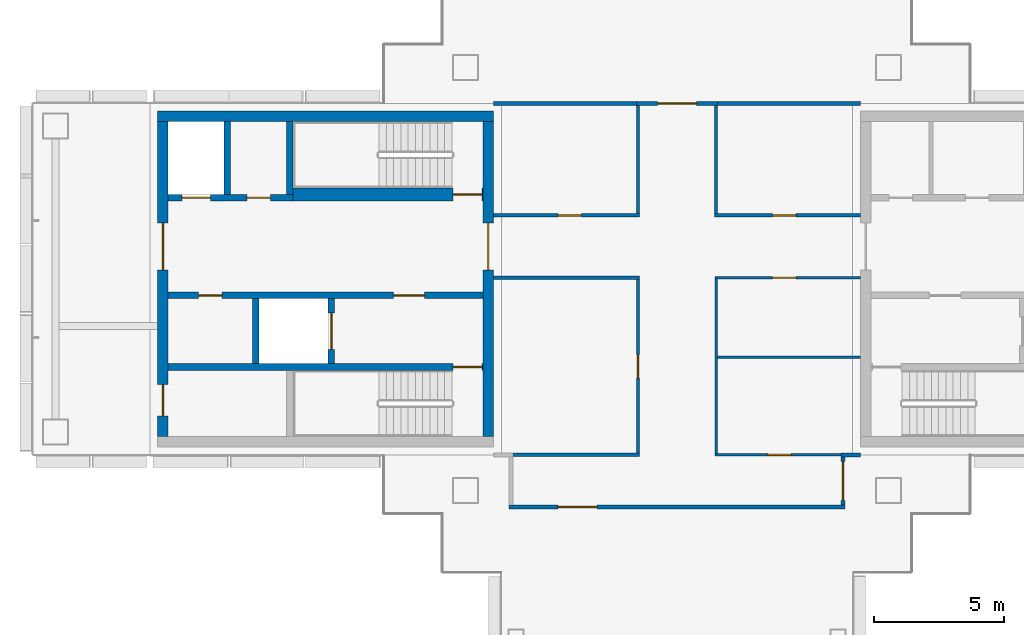
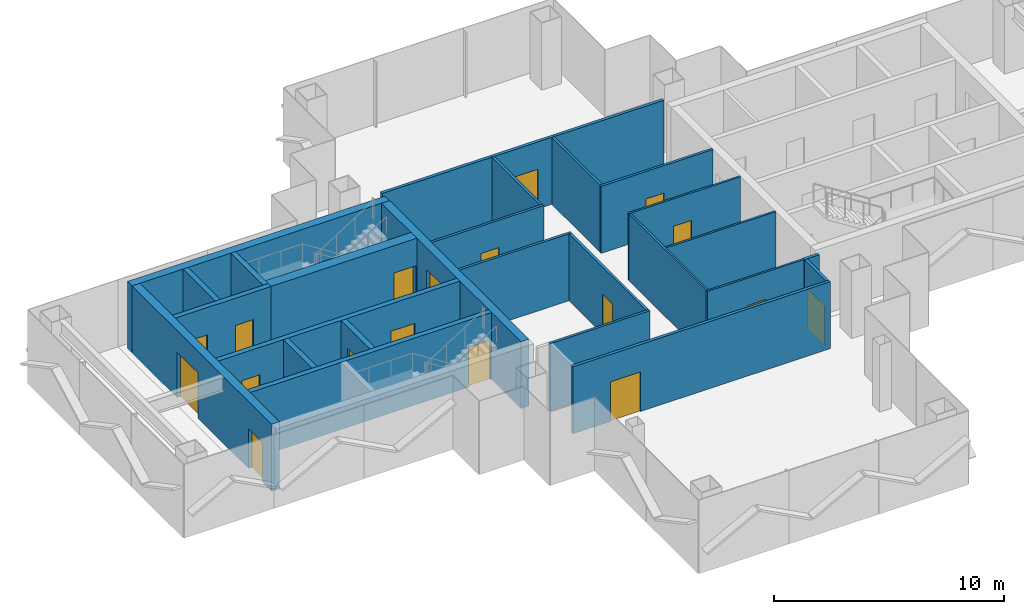
# One storey, part 9 of 17: 28 walls, 18 doors, 18 openings.
"""IFC4 building model written with IfcOpenShell, lengths in metres."""

import ifcopenshell
import ifcopenshell.guid

model = None  # the IFC model being written
_history = None  # IfcOwnerHistory: only IFC2X3 demands one
_inside = {}  # id of a spatial element -> (the spatial element, [elements in it])
_under = {}  # id of a project, library or spatial element -> (it, [spatial elements below it])
_declared = {}  # id of a project -> (the project, [libraries it declares])
_typed = {}  # id of a type object -> (the type object, [elements of that type])
_made_of = {}  # id of a material, layer set ... -> (it, [elements and type objects made of it])


def new_model(schema):
    """Start an empty IFC model of exactly this schema.

    Asked for "IFC4X3", IfcOpenShell would pick the latest addendum, in which some entities
    have other attributes; the version numbers below select the first issue.
    IFC2X3 requires an IfcOwnerHistory on every rooted entity: one is made here for all.
    """
    global model, _history
    if schema == "IFC4X3":
        model = ifcopenshell.file(schema_version=(4, 3, 0, 0))
    else:
        model = ifcopenshell.file(schema=schema)
    _inside.clear()
    _under.clear()
    _declared.clear()
    _typed.clear()
    _made_of.clear()
    _history = None
    if model.schema == "IFC2X3":
        org = make("IfcOrganization", Name="unknown")
        user = make(
            "IfcPersonAndOrganization",
            ThePerson=make("IfcPerson", FamilyName="unknown"),
            TheOrganization=org,
        )
        app = make(
            "IfcApplication",
            ApplicationDeveloper=org,
            Version="unknown",
            ApplicationFullName="unknown",
            ApplicationIdentifier="unknown",
        )
        _history = make(
            "IfcOwnerHistory",
            OwningUser=user,
            OwningApplication=app,
            ChangeAction="ADDED",
            CreationDate=0,
        )
    return model


def make(cls, **values):
    """One entity of the class cls with the attributes given. An attribute that is None is left unset."""
    return model.create_entity(
        cls, **{name: value for name, value in values.items() if value is not None}
    )


def rooted(cls, **values):
    """An entity with a GlobalId (a new one), such as an element, a storey or a relation."""
    return make(cls, GlobalId=ifcopenshell.guid.new(), OwnerHistory=_history, **values)


def si_unit(unit_type, name, prefix=None):
    """IfcSIUnit, for example si_unit("LENGTHUNIT", "METRE", prefix="MILLI")."""
    return make("IfcSIUnit", UnitType=unit_type, Prefix=prefix, Name=name)


def assignment(units):
    """IfcUnitAssignment: the units of a project."""
    return None if units is None else make("IfcUnitAssignment", Units=units)


def point(xyz):
    """IfcCartesianPoint."""
    return None if xyz is None else make("IfcCartesianPoint", Coordinates=xyz)


def direction(xyz):
    """IfcDirection."""
    return None if xyz is None else make("IfcDirection", DirectionRatios=xyz)


def frame(location, z_axis=None, x_axis=None):
    """IfcAxis2Placement3D, a coordinate frame: its origin and axes. An axis left out is left unset."""
    return make(
        "IfcAxis2Placement3D",
        Location=point(location),
        Axis=direction(z_axis),
        RefDirection=direction(x_axis),
    )


def frame_2d(location, x_axis=None):
    """IfcAxis2Placement2D, a coordinate frame in the plane: its origin and x axis."""
    return make(
        "IfcAxis2Placement2D", Location=point(location), RefDirection=direction(x_axis)
    )


def origin():
    """The frame at (0, 0, 0) with its axes left unset."""
    return frame((0.0, 0.0, 0.0))


def place(relative_to, where):
    """IfcLocalPlacement: puts the frame where relative to a parent placement (None: the world)."""
    return make(
        "IfcLocalPlacement", PlacementRelTo=relative_to, RelativePlacement=where
    )


def context(
    kind, dimensions, precision=None, world=None, true_north=None, identifier=None
):
    """IfcGeometricRepresentationContext, for example the 3D "Model" context."""
    return make(
        "IfcGeometricRepresentationContext",
        ContextIdentifier=identifier,
        ContextType=kind,
        CoordinateSpaceDimension=dimensions,
        Precision=precision,
        WorldCoordinateSystem=world,
        TrueNorth=true_north,
    )


def subcontext(parent, identifier, kind, view, scale=None):
    """IfcGeometricRepresentationSubContext, for example "Body" below "Model"."""
    return make(
        "IfcGeometricRepresentationSubContext",
        ContextIdentifier=identifier,
        ContextType=kind,
        ParentContext=parent,
        TargetScale=scale,
        TargetView=view,
    )


def project(units=None, contexts=None):
    """IfcProject with its units and contexts."""
    return rooted(
        "IfcProject",
        Name="project",
        RepresentationContexts=contexts,
        UnitsInContext=assignment(units),
    )


def spatial(cls, under=None, at=None, **own):
    """A site, building, storey or space (cls), placed at a placement, below another one or the project."""
    s = rooted(cls, ObjectPlacement=at, **own)
    if under is not None:
        _under.setdefault(under.id(), (under, []))[1].append(s)
    return s


def profile(cls, at=None, kind="AREA", **sizes):
    """A parametric profile (cls). Its sizes go by their IFC names, for example OverallWidth=200.0."""
    return make(cls, ProfileType=kind, Position=at, **sizes)


def rectangle(**sizes):
    """IfcRectangleProfileDef."""
    return profile("IfcRectangleProfileDef", **sizes)


def extrude(swept, where, along, depth):
    """IfcExtrudedAreaSolid: the profile swept, set in the frame where, extruded along a direction by depth."""
    return make(
        "IfcExtrudedAreaSolid",
        SweptArea=swept,
        Position=where,
        ExtrudedDirection=direction(along),
        Depth=depth,
    )


def shape(context_of_items, identifier, shape_type, items):
    """IfcShapeRepresentation: the items that make up one representation, for example the "Body"."""
    return make(
        "IfcShapeRepresentation",
        ContextOfItems=context_of_items,
        RepresentationIdentifier=identifier,
        RepresentationType=shape_type,
        Items=items,
    )


def material(Name=None, Category=None):
    """IfcMaterial."""
    return make("IfcMaterial", Name=Name, Category=Category)


def layer(
    of_material, thickness, ventilated=None, Name=None, Category=None, Priority=None
):
    """IfcMaterialLayer: one layer of a wall or slab, of a material (None: an air gap)."""
    return make(
        "IfcMaterialLayer",
        Material=of_material,
        LayerThickness=thickness,
        IsVentilated=ventilated,
        Name=Name,
        Category=Category,
        Priority=Priority,
    )


def layer_set(layers, Name=None):
    """IfcMaterialLayerSet."""
    return make("IfcMaterialLayerSet", MaterialLayers=layers, LayerSetName=Name)


def made_of(thing, what):
    """Note that an element or type object is made of a material, layer set ...; save() writes the relation."""
    if what is not None:
        _made_of.setdefault(what.id(), (what, []))[1].append(thing)
    return thing


def type_object(cls, material=None, **own):
    """A type object (cls), such as IfcWallType, which elements share."""
    return made_of(rooted(cls, **own), material)


def element(
    cls,
    number,
    at=None,
    inside=None,
    cuts=None,
    type_object=None,
    material=None,
    context=None,
    identifier="Body",
    shape_type=None,
    held_by="IfcProductDefinitionShape",
    body=None,
    shapes=None,
    **own,
):
    """One element of the class cls, such as IfcWall. Its Tag is "e" and its number.

    at: its placement. inside: the storey or other place that contains it. cuts: it is an
    opening in that element (IfcRelVoidsElement). A single representation is given by context,
    identifier, shape_type and body (its items); several are given by shapes. held_by: the class
    of the entity that holds the representations. save() writes the other relations.
    """
    e = rooted(cls, Tag="e%d" % number, ObjectPlacement=at, **own)
    if body is not None:
        shapes = [shape(context, identifier, shape_type, body)]
    if shapes is not None:
        e.Representation = make(held_by, Representations=shapes)
    if inside is not None:
        _inside.setdefault(inside.id(), (inside, []))[1].append(e)
    if cuts is not None:
        rooted(
            "IfcRelVoidsElement", RelatingBuildingElement=cuts, RelatedOpeningElement=e
        )
    if type_object is not None:
        _typed.setdefault(type_object.id(), (type_object, []))[1].append(e)
    return made_of(e, material)


def fill(opening, filler):
    """IfcRelFillsElement: the door or window that sits in an opening."""
    return rooted(
        "IfcRelFillsElement",
        RelatingOpeningElement=opening,
        RelatedBuildingElement=filler,
    )


def aggregate(whole, parts):
    """IfcRelAggregates: a whole, such as a stair, and the parts it consists of."""
    return rooted("IfcRelAggregates", RelatingObject=whole, RelatedObjects=parts)


def save(model, path):
    """Write the relations noted so far, then the file.

    IfcRelAggregates (storeys below a building ...), IfcRelContainedInSpatialStructure (elements
    in a storey), IfcRelDefinesByType, IfcRelAssociatesMaterial and IfcRelDeclares: one each for
    every whole, place, type object, material and project.
    """
    for whole, parts in _under.values():
        aggregate(whole, parts)
    for where, things in _inside.values():
        rooted(
            "IfcRelContainedInSpatialStructure",
            RelatedElements=things,
            RelatingStructure=where,
        )
    for kind, things in _typed.values():
        rooted("IfcRelDefinesByType", RelatedObjects=things, RelatingType=kind)
    for what, things in _made_of.values():
        rooted("IfcRelAssociatesMaterial", RelatedObjects=things, RelatingMaterial=what)
    for by, libraries in _declared.values():
        rooted("IfcRelDeclares", RelatingContext=by, RelatedDefinitions=libraries)
    model.write(path)


model = new_model("IFC4")

# Units and contexts
model_context = context("Model", 3, precision=1e-05, world=origin(), true_north=direction((0.0, 1.0)))
body_context = subcontext(model_context, "Body", "Model", "MODEL_VIEW")
ifc_project = project(units=[si_unit("LENGTHUNIT", "METRE"), si_unit("AREAUNIT", "SQUARE_METRE"), si_unit("VOLUMEUNIT", "CUBIC_METRE"), si_unit("PLANEANGLEUNIT", "RADIAN"), si_unit("MASSUNIT", "GRAM", prefix="KILO")], contexts=[model_context])

# Site, building, storey
site_placement = place(None, origin())
site = spatial("IfcSite", under=ifc_project, at=site_placement, CompositionType="ELEMENT")
building_placement = place(site_placement, origin())
building = spatial("IfcBuilding", under=site, at=building_placement, Name="Shamsa Quay Exchange Towers", CompositionType="ELEMENT")
storey_placement = place(building_placement, frame((0.0, 0.0, 194.39990234375)))
storey = spatial("IfcBuildingStorey", under=building, at=storey_placement, Name="L46", CompositionType="ELEMENT", Elevation=194.39990234375)

# Wall
ifc_material_1 = material(Name="Concrete C60/75", Category="concrete")
ifc_layer_1 = layer(ifc_material_1, 0.39990234375)
ifc_layer_set_1 = layer_set([ifc_layer_1], Name="CORE WALL 400 C60/75")
wall_type_1 = type_object("IfcWallType", Name="CORE WALL 400 C60/75", PredefinedType="SHEAR", material=ifc_layer_set_1)
wall_1_placement = place(storey_placement, frame((-40.800048828125, 6.25, 0.0), z_axis=(0.0, 0.0, 1.0), x_axis=(-1.0, 0.0, 0.0)))
element("IfcWall", 1, at=wall_1_placement, inside=storey, type_object=wall_type_1, Name="Core wall T1B-R21-PN", PredefinedType="SHEAR", context=body_context, shape_type="SweptSolid", body=[
    extrude(rectangle(XDim=12.89990234375, YDim=0.39990234375, at=frame_2d((6.449951171875, 0.0))), origin(), (0.0, 0.0, 1.0), 3.550048828125),
])

# Wall, opening, door
wall_2_placement = place(storey_placement, frame((-41.0, -6.050048828125, 0.0), z_axis=(0.0, 0.0, 1.0), x_axis=(0.0, 1.0, 0.0)))
wall_2 = element("IfcWall", 2, at=wall_2_placement, inside=storey, type_object=wall_type_1, Name="Core wall T1B-R21-PF", PredefinedType="SHEAR", context=body_context, shape_type="SweptSolid", body=[
    extrude(rectangle(XDim=12.10009765625, YDim=0.39990234375, at=frame_2d((6.050048828125, 0.0))), origin(), (0.0, 0.0, 1.0), 3.550048828125),
])
opening_1_placement = place(wall_2_placement, frame((6.39990234375, 0.0, 0.0)))
opening_1 = element("IfcOpeningElement", 3, at=opening_1_placement, cuts=wall_2, Name="Opening T1B-R21-LBD01", PredefinedType="OPENING", context=body_context, shape_type="SweptSolid", body=[
    extrude(rectangle(XDim=1.800048828125, YDim=2.39990234375, at=frame_2d((0.89990234375, 1.199951171875))), frame((0.0, 0.2099609375, 0.0), z_axis=(0.0, -1.0, 0.0), x_axis=(1.0, 0.0, 0.0)), (0.0, 0.0, 1.0), 0.419921875),
])
ifc_material_2 = material(Name="Steel, fire rated", Category="steel")
door_type_1 = type_object("IfcDoorType", Name="LIFT LOBBY DOOR PAIR 1800", OperationType="DOUBLE_DOOR_SINGLE_SWING", PredefinedType="DOOR", material=ifc_material_2)
door_1_placement = place(opening_1_placement, origin())
door_1 = element("IfcDoor", 4, at=door_1_placement, inside=storey, type_object=door_type_1, Name="T1B-R21-LBD01", OperationType="DOUBLE_DOOR_SINGLE_SWING", OverallHeight=2.39990234375, OverallWidth=1.800048828125, PredefinedType="DOOR", context=body_context, shape_type="SweptSolid", body=[
    extrude(rectangle(XDim=1.800048828125, YDim=2.39990234375, at=frame_2d((0.89990234375, 1.199951171875))), frame((0.0, 0.02490234375, 0.0), z_axis=(0.0, -1.0, 0.0), x_axis=(1.0, 0.0, 0.0)), (0.0, 0.0, 1.0), 0.050048828125),
])
fill(opening_1, door_1)

# Wall, openings, doors
wall_3_placement = place(storey_placement, frame((-53.5, -6.050048828125, 0.0), z_axis=(0.0, 0.0, 1.0), x_axis=(0.0, 1.0, 0.0)))
wall_3 = element("IfcWall", 5, at=wall_3_placement, inside=storey, type_object=wall_type_1, Name="Core wall T1B-R21-PB", PredefinedType="SHEAR", context=body_context, shape_type="SweptSolid", body=[
    extrude(rectangle(XDim=12.10009765625, YDim=0.39990234375, at=frame_2d((6.050048828125, 0.0))), origin(), (0.0, 0.0, 1.0), 3.550048828125),
])
opening_2_placement = place(wall_3_placement, frame((0.800048828125, 0.0, 0.0)))
opening_2 = element("IfcOpeningElement", 6, at=opening_2_placement, cuts=wall_3, Name="Opening T1B-R21-RD02", PredefinedType="OPENING", context=body_context, shape_type="SweptSolid", body=[
    extrude(rectangle(XDim=1.199951171875, YDim=2.10009765625, at=frame_2d((0.60009765625, 1.050048828125))), frame((0.0, 0.2099609375, 0.0), z_axis=(0.0, -1.0, 0.0), x_axis=(1.0, 0.0, 0.0)), (0.0, 0.0, 1.0), 0.419921875),
])
opening_3_placement = place(wall_3_placement, frame((6.39990234375, 0.0, 0.0)))
opening_3 = element("IfcOpeningElement", 7, at=opening_3_placement, cuts=wall_3, Name="Opening T1B-R21-LBD03", PredefinedType="OPENING", context=body_context, shape_type="SweptSolid", body=[
    extrude(rectangle(XDim=1.800048828125, YDim=2.39990234375, at=frame_2d((0.89990234375, 1.199951171875))), frame((0.0, 0.2099609375, 0.0), z_axis=(0.0, -1.0, 0.0), x_axis=(1.0, 0.0, 0.0)), (0.0, 0.0, 1.0), 0.419921875),
])
door_2_placement = place(opening_3_placement, origin())
door_2 = element("IfcDoor", 8, at=door_2_placement, inside=storey, type_object=door_type_1, Name="T1B-R21-LBD03", OperationType="DOUBLE_DOOR_SINGLE_SWING", OverallHeight=2.39990234375, OverallWidth=1.800048828125, PredefinedType="DOOR", context=body_context, shape_type="SweptSolid", body=[
    extrude(rectangle(XDim=1.800048828125, YDim=2.39990234375, at=frame_2d((0.89990234375, 1.199951171875))), frame((0.0, 0.02490234375, 0.0), z_axis=(0.0, -1.0, 0.0), x_axis=(1.0, 0.0, 0.0)), (0.0, 0.0, 1.0), 0.050048828125),
])
fill(opening_3, door_2)
door_type_2 = type_object("IfcDoorType", Name="RISER ACCESS DOOR 1200", OperationType="SINGLE_SWING_LEFT", PredefinedType="DOOR", material=ifc_material_2)
door_3_placement = place(opening_2_placement, origin())
door_3 = element("IfcDoor", 9, at=door_3_placement, inside=storey, type_object=door_type_2, Name="T1B-R21-RD02", OperationType="SINGLE_SWING_LEFT", OverallHeight=2.10009765625, OverallWidth=1.199951171875, PredefinedType="DOOR", context=body_context, shape_type="SweptSolid", body=[
    extrude(rectangle(XDim=1.199951171875, YDim=2.10009765625, at=frame_2d((0.60009765625, 1.050048828125))), frame((0.0, 0.02490234375, 0.0), z_axis=(0.0, -1.0, 0.0), x_axis=(1.0, 0.0, 0.0)), (0.0, 0.0, 1.0), 0.050048828125),
])
fill(opening_2, door_3)

# Wall
ifc_material_3 = material(Name="Laminated fire-resisting glass in a metal frame", Category="glass")
ifc_layer_2 = layer(ifc_material_3, 0.125)
ifc_layer_set_2 = layer_set([ifc_layer_2], Name="Glazed partition 125 mm EI 60")
wall_type_2 = type_object("IfcWallType", Name="Glazed partition 125 mm EI 60", PredefinedType="PARTITIONING", material=ifc_layer_set_2)
wall_4_placement = place(storey_placement, frame((-32.25, 6.675048828125, 0.0), z_axis=(0.0, 0.0, 1.0), x_axis=(0.0, -1.0, 0.0)))
element("IfcWall", 10, at=wall_4_placement, inside=storey, type_object=wall_type_2, Name="Partition T1-R21-W01", PredefinedType="PARTITIONING", context=body_context, shape_type="SweptSolid", body=[
    extrude(rectangle(XDim=4.162353515625, YDim=0.125, at=frame_2d((2.0810546875, 0.0))), origin(), (0.0, 0.0, 1.0), 3.550048828125),
])

# Wall, opening, door
wall_5_placement = place(storey_placement, frame((-40.800048828125, 2.4501953125, 0.0)))
wall_5 = element("IfcWall", 11, at=wall_5_placement, inside=storey, type_object=wall_type_2, Name="Partition T1-R21-W02", PredefinedType="PARTITIONING", context=body_context, shape_type="SweptSolid", body=[
    extrude(rectangle(XDim=5.612548828125, YDim=0.125, at=frame_2d((2.80615234375, 0.0))), origin(), (0.0, 0.0, 1.0), 3.550048828125),
])
opening_4_placement = place(wall_5_placement, frame((2.47509765625, 0.0, 0.0)))
opening_4 = element("IfcOpeningElement", 12, at=opening_4_placement, cuts=wall_5, Name="Opening T1-R21-D01", PredefinedType="OPENING", context=body_context, shape_type="SweptSolid", body=[
    extrude(rectangle(XDim=0.89990234375, YDim=2.10009765625, at=frame_2d((0.449951171875, 1.050048828125))), frame((0.0, 0.072509765625, 0.0), z_axis=(0.0, -1.0, 0.0), x_axis=(1.0, 0.0, 0.0)), (0.0, 0.0, 1.0), 0.14501953125),
])
ifc_material_4 = material(Name="Timber door leaf in a metal frame", Category="wood")
door_type_3 = type_object("IfcDoorType", Name="Door 900x2100 FD30S", OperationType="NOTDEFINED", PredefinedType="DOOR", material=ifc_material_4)
door_4_placement = place(opening_4_placement, origin())
door_4 = element("IfcDoor", 13, at=door_4_placement, inside=storey, type_object=door_type_3, Name="Door T1-R21-D01", OperationType="SINGLE_SWING_LEFT", OverallHeight=2.10009765625, OverallWidth=0.89990234375, PredefinedType="DOOR", context=body_context, shape_type="SweptSolid", body=[
    extrude(rectangle(XDim=0.89990234375, YDim=2.10009765625, at=frame_2d((0.449951171875, 1.050048828125))), frame((0.0, 0.02490234375, 0.0), z_axis=(0.0, -1.0, 0.0), x_axis=(1.0, 0.0, 0.0)), (0.0, 0.0, 1.0), 0.050048828125),
])
fill(opening_4, door_4)

wall_6_placement = place(storey_placement, frame((-32.3125, 2.4501953125, 0.0)))
wall_6 = element("IfcWall", 14, at=wall_6_placement, inside=storey, type_object=wall_type_2, Name="Partition T1-R21-W03", PredefinedType="PARTITIONING", context=body_context, shape_type="SweptSolid", body=[
    extrude(rectangle(XDim=5.612548828125, YDim=0.125, at=frame_2d((2.80615234375, 0.0))), origin(), (0.0, 0.0, 1.0), 3.550048828125),
])
opening_5_placement = place(wall_6_placement, frame((2.237548828125, 0.0, 0.0)))
opening_5 = element("IfcOpeningElement", 15, at=opening_5_placement, cuts=wall_6, Name="Opening T1-R21-D06", PredefinedType="OPENING", context=body_context, shape_type="SweptSolid", body=[
    extrude(rectangle(XDim=0.89990234375, YDim=2.10009765625, at=frame_2d((0.449951171875, 1.050048828125))), frame((0.0, 0.072509765625, 0.0), z_axis=(0.0, -1.0, 0.0), x_axis=(1.0, 0.0, 0.0)), (0.0, 0.0, 1.0), 0.14501953125),
])
door_5_placement = place(opening_5_placement, origin())
door_5 = element("IfcDoor", 16, at=door_5_placement, inside=storey, type_object=door_type_3, Name="Door T1-R21-D06", OperationType="SINGLE_SWING_RIGHT", OverallHeight=2.10009765625, OverallWidth=0.89990234375, PredefinedType="DOOR", context=body_context, shape_type="SweptSolid", body=[
    extrude(rectangle(XDim=0.89990234375, YDim=2.10009765625, at=frame_2d((0.449951171875, 1.050048828125))), frame((0.0, 0.02490234375, 0.0), z_axis=(0.0, -1.0, 0.0), x_axis=(1.0, 0.0, 0.0)), (0.0, 0.0, 1.0), 0.050048828125),
])
fill(opening_5, door_5)

wall_7_placement = place(storey_placement, frame((-35.25, -6.6875, 0.0), z_axis=(0.0, 0.0, 1.0), x_axis=(0.0, 1.0, 0.0)))
wall_7 = element("IfcWall", 17, at=wall_7_placement, inside=storey, type_object=wall_type_2, Name="Partition T1-R21-W07", PredefinedType="PARTITIONING", context=body_context, shape_type="SweptSolid", body=[
    extrude(rectangle(XDim=6.6748046875, YDim=0.125, at=frame_2d((3.33740234375, 0.0))), origin(), (0.0, 0.0, 1.0), 3.550048828125),
])
opening_6_placement = place(wall_7_placement, frame((2.887451171875, 0.0, 0.0)))
opening_6 = element("IfcOpeningElement", 18, at=opening_6_placement, cuts=wall_7, Name="Opening T1-R21-D03", PredefinedType="OPENING", context=body_context, shape_type="SweptSolid", body=[
    extrude(rectangle(XDim=0.89990234375, YDim=2.10009765625, at=frame_2d((0.449951171875, 1.050048828125))), frame((0.0, 0.072509765625, 0.0), z_axis=(0.0, -1.0, 0.0), x_axis=(1.0, 0.0, 0.0)), (0.0, 0.0, 1.0), 0.14501953125),
])
door_6_placement = place(opening_6_placement, origin())
door_6 = element("IfcDoor", 19, at=door_6_placement, inside=storey, type_object=door_type_3, Name="Door T1-R21-D03", OperationType="SINGLE_SWING_LEFT", OverallHeight=2.10009765625, OverallWidth=0.89990234375, PredefinedType="DOOR", context=body_context, shape_type="SweptSolid", body=[
    extrude(rectangle(XDim=0.89990234375, YDim=2.10009765625, at=frame_2d((0.449951171875, 1.050048828125))), frame((0.0, 0.02490234375, 0.0), z_axis=(0.0, -1.0, 0.0), x_axis=(1.0, 0.0, 0.0)), (0.0, 0.0, 1.0), 0.050048828125),
])
fill(opening_6, door_6)

# Walls
wall_8_placement = place(storey_placement, frame((-35.25, 2.5126953125, 0.0), z_axis=(0.0, 0.0, 1.0), x_axis=(0.0, 1.0, 0.0)))
element("IfcWall", 20, at=wall_8_placement, inside=storey, type_object=wall_type_2, Name="Partition T1-R21-W08", PredefinedType="PARTITIONING", context=body_context, shape_type="SweptSolid", body=[
    extrude(rectangle(XDim=4.162353515625, YDim=0.125, at=frame_2d((2.0810546875, 0.0))), origin(), (0.0, 0.0, 1.0), 3.550048828125),
])
wall_9_placement = place(storey_placement, frame((-40.199951171875, -6.75, 0.0)))
element("IfcWall", 21, at=wall_9_placement, inside=storey, type_object=wall_type_2, Name="Partition T1-R21-W09", PredefinedType="PARTITIONING", context=body_context, shape_type="SweptSolid", body=[
    extrude(rectangle(XDim=5.012451171875, YDim=0.125, at=frame_2d((2.50634765625, 0.0))), origin(), (0.0, 0.0, 1.0), 3.550048828125),
])
wall_10_placement = place(storey_placement, frame((-35.1875, 0.0498046875, 0.0), z_axis=(0.0, 0.0, 1.0), x_axis=(-1.0, 0.0, 0.0)))
element("IfcWall", 22, at=wall_10_placement, inside=storey, type_object=wall_type_2, Name="Partition T1-R21-W10", PredefinedType="PARTITIONING", context=body_context, shape_type="SweptSolid", body=[
    extrude(rectangle(XDim=5.612548828125, YDim=0.125, at=frame_2d((2.80615234375, 0.0))), origin(), (0.0, 0.0, 1.0), 3.550048828125),
])
ifc_material_5 = material(Name="Gypsum board partition on metal studs")
ifc_layer_3 = layer(ifc_material_5, 0.10009765625)
ifc_layer_set_3 = layer_set([ifc_layer_3], Name="Partition 100 mm NOT RATED")
wall_type_3 = type_object("IfcWallType", Name="Partition 100 mm NOT RATED", PredefinedType="PARTITIONING", material=ifc_layer_set_3)
wall_11_placement = place(storey_placement, frame((-32.25, -0.000244140625, 0.0), z_axis=(0.0, 0.0, 1.0), x_axis=(0.0, -1.0, 0.0)))
element("IfcWall", 23, at=wall_11_placement, inside=storey, type_object=wall_type_3, Name="Partition T1-R21-W04", PredefinedType="PARTITIONING", context=body_context, shape_type="SweptSolid", body=[
    extrude(rectangle(XDim=6.69970703125, YDim=0.10009765625, at=frame_2d((3.349853515625, 0.0))), origin(), (0.0, 0.0, 1.0), 3.550048828125),
])

# Wall, opening, door
wall_12_placement = place(storey_placement, frame((-32.300048828125, -6.75, 0.0)))
wall_12 = element("IfcWall", 24, at=wall_12_placement, inside=storey, type_object=wall_type_3, Name="Partition T1-R21-W05", PredefinedType="PARTITIONING", context=body_context, shape_type="SweptSolid", body=[
    extrude(rectangle(XDim=5.0, YDim=0.10009765625, at=frame_2d((2.5, 0.0))), origin(), (0.0, 0.0, 1.0), 3.550048828125),
])
opening_7_placement = place(wall_12_placement, frame((2.03759765625, 0.0, 0.0)))
opening_7 = element("IfcOpeningElement", 25, at=opening_7_placement, cuts=wall_12, Name="Opening T1-R21-D05", PredefinedType="OPENING", context=body_context, shape_type="SweptSolid", body=[
    extrude(rectangle(XDim=0.89990234375, YDim=2.10009765625, at=frame_2d((0.449951171875, 1.050048828125))), frame((0.0, 0.06005859375, 0.0), z_axis=(0.0, -1.0, 0.0), x_axis=(1.0, 0.0, 0.0)), (0.0, 0.0, 1.0), 0.1201171875),
])
door_type_4 = type_object("IfcDoorType", Name="Door 900x2100 NOT RATED", OperationType="NOTDEFINED", PredefinedType="DOOR", material=ifc_material_4)
door_7_placement = place(opening_7_placement, origin())
door_7 = element("IfcDoor", 26, at=door_7_placement, inside=storey, type_object=door_type_4, Name="Door T1-R21-D05", OperationType="SINGLE_SWING_LEFT", OverallHeight=2.10009765625, OverallWidth=0.89990234375, PredefinedType="DOOR", context=body_context, shape_type="SweptSolid", body=[
    extrude(rectangle(XDim=0.89990234375, YDim=2.10009765625, at=frame_2d((0.449951171875, 1.050048828125))), frame((0.0, 0.02490234375, 0.0), z_axis=(0.0, -1.0, 0.0), x_axis=(1.0, 0.0, 0.0)), (0.0, 0.0, 1.0), 0.050048828125),
])
fill(opening_7, door_7)

wall_13_placement = place(storey_placement, frame((-26.699951171875, 0.0498046875, 0.0), z_axis=(0.0, 0.0, 1.0), x_axis=(-1.0, 0.0, 0.0)))
wall_13 = element("IfcWall", 27, at=wall_13_placement, inside=storey, type_object=wall_type_3, Name="Partition T1-R21-W06", PredefinedType="PARTITIONING", context=body_context, shape_type="SweptSolid", body=[
    extrude(rectangle(XDim=5.60009765625, YDim=0.10009765625, at=frame_2d((2.800048828125, 0.0))), origin(), (0.0, 0.0, 1.0), 3.550048828125),
])
opening_8_placement = place(wall_13_placement, frame((2.47509765625, 0.0, 0.0)))
opening_8 = element("IfcOpeningElement", 28, at=opening_8_placement, cuts=wall_13, Name="Opening T1-R21-D08", PredefinedType="OPENING", context=body_context, shape_type="SweptSolid", body=[
    extrude(rectangle(XDim=0.89990234375, YDim=2.10009765625, at=frame_2d((0.449951171875, 1.050048828125))), frame((0.0, 0.06005859375, 0.0), z_axis=(0.0, -1.0, 0.0), x_axis=(1.0, 0.0, 0.0)), (0.0, 0.0, 1.0), 0.1201171875),
])
door_8_placement = place(opening_8_placement, origin())
door_8 = element("IfcDoor", 29, at=door_8_placement, inside=storey, type_object=door_type_4, Name="Door T1-R21-D08", OperationType="SINGLE_SWING_LEFT", OverallHeight=2.10009765625, OverallWidth=0.89990234375, PredefinedType="DOOR", context=body_context, shape_type="SweptSolid", body=[
    extrude(rectangle(XDim=0.89990234375, YDim=2.10009765625, at=frame_2d((0.449951171875, 1.050048828125))), frame((0.0, 0.02490234375, 0.0), z_axis=(0.0, -1.0, 0.0), x_axis=(1.0, 0.0, 0.0)), (0.0, 0.0, 1.0), 0.050048828125),
])
fill(opening_8, door_8)

# Wall
wall_14_placement = place(storey_placement, frame((-26.699951171875, -3.0, 0.0), z_axis=(0.0, 0.0, 1.0), x_axis=(-1.0, 0.0, 0.0)))
element("IfcWall", 30, at=wall_14_placement, inside=storey, type_object=wall_type_3, Name="Partition T1-R21-W17", PredefinedType="PARTITIONING", context=body_context, shape_type="SweptSolid", body=[
    extrude(rectangle(XDim=5.5, YDim=0.10009765625, at=frame_2d((2.75, 0.0))), origin(), (0.0, 0.0, 1.0), 3.550048828125),
])

# Wall, opening, door
ifc_layer_4 = layer(ifc_material_5, 0.14990234375)
ifc_layer_set_4 = layer_set([ifc_layer_4], Name="Partition 150 mm EI 60")
wall_type_4 = type_object("IfcWallType", Name="Partition 150 mm EI 60", PredefinedType="PARTITIONING", material=ifc_layer_set_4)
wall_15_placement = place(storey_placement, frame((-35.3125, 6.75, 0.0)))
wall_15 = element("IfcWall", 31, at=wall_15_placement, inside=storey, type_object=wall_type_4, Name="Partition T1-R21-W11", PredefinedType="PARTITIONING", context=body_context, shape_type="SweptSolid", body=[
    extrude(rectangle(XDim=3.125, YDim=0.14990234375, at=frame_2d((1.5625, 0.0))), origin(), (0.0, 0.0, 1.0), 3.550048828125),
])
opening_9_placement = place(wall_15_placement, frame((0.8125, 0.0, 0.0)))
opening_9 = element("IfcOpeningElement", 32, at=opening_9_placement, cuts=wall_15, Name="Opening T1-R21-D04", PredefinedType="OPENING", context=body_context, shape_type="SweptSolid", body=[
    extrude(rectangle(XDim=1.5, YDim=2.10009765625, at=frame_2d((0.75, 1.050048828125))), frame((0.0, 0.0849609375, 0.0), z_axis=(0.0, -1.0, 0.0), x_axis=(1.0, 0.0, 0.0)), (0.0, 0.0, 1.0), 0.169921875),
])
door_type_5 = type_object("IfcDoorType", Name="Door 1500x2100 FD30S pair", OperationType="NOTDEFINED", PredefinedType="DOOR", material=ifc_material_4)
door_9_placement = place(opening_9_placement, origin())
door_9 = element("IfcDoor", 33, at=door_9_placement, inside=storey, type_object=door_type_5, Name="Door T1-R21-D04", OperationType="DOUBLE_DOOR_SINGLE_SWING", OverallHeight=2.10009765625, OverallWidth=1.5, PredefinedType="DOOR", context=body_context, shape_type="SweptSolid", body=[
    extrude(rectangle(XDim=1.5, YDim=2.10009765625, at=frame_2d((0.75, 1.050048828125))), frame((0.0, 0.02490234375, 0.0), z_axis=(0.0, -1.0, 0.0), x_axis=(1.0, 0.0, 0.0)), (0.0, 0.0, 1.0), 0.050048828125),
])
fill(opening_9, door_9)

wall_16_placement = place(storey_placement, frame((-27.375, -8.675048828125, 0.0), z_axis=(0.0, 0.0, 1.0), x_axis=(0.0, 1.0, 0.0)))
wall_16 = element("IfcWall", 34, at=wall_16_placement, inside=storey, type_object=wall_type_4, Name="Partition T1-R21-W12", PredefinedType="PARTITIONING", context=body_context, shape_type="SweptSolid", body=[
    extrude(rectangle(XDim=1.85009765625, YDim=0.14990234375, at=frame_2d((0.925048828125, 0.0))), origin(), (0.0, 0.0, 1.0), 3.550048828125),
])
opening_10_placement = place(wall_16_placement, frame((0.175048828125, 0.0, 0.0)))
opening_10 = element("IfcOpeningElement", 35, at=opening_10_placement, cuts=wall_16, Name="Opening T1-R21-D07", PredefinedType="OPENING", context=body_context, shape_type="SweptSolid", body=[
    extrude(rectangle(XDim=1.5, YDim=2.10009765625, at=frame_2d((0.75, 1.050048828125))), frame((0.0, 0.0849609375, 0.0), z_axis=(0.0, -1.0, 0.0), x_axis=(1.0, 0.0, 0.0)), (0.0, 0.0, 1.0), 0.169921875),
])
door_10_placement = place(opening_10_placement, origin())
door_10 = element("IfcDoor", 36, at=door_10_placement, inside=storey, type_object=door_type_5, Name="Door T1-R21-D07", OperationType="DOUBLE_DOOR_SINGLE_SWING", OverallHeight=2.10009765625, OverallWidth=1.5, PredefinedType="DOOR", context=body_context, shape_type="SweptSolid", body=[
    extrude(rectangle(XDim=1.5, YDim=2.10009765625, at=frame_2d((0.75, 1.050048828125))), frame((0.0, 0.02490234375, 0.0), z_axis=(0.0, -1.0, 0.0), x_axis=(1.0, 0.0, 0.0)), (0.0, 0.0, 1.0), 0.050048828125),
])
fill(opening_10, door_10)

wall_17_placement = place(storey_placement, frame((-40.199951171875, -8.75, 0.0)))
wall_17 = element("IfcWall", 37, at=wall_17_placement, inside=storey, type_object=wall_type_4, Name="Partition T1-R21-W13", PredefinedType="PARTITIONING", context=body_context, shape_type="SweptSolid", body=[
    extrude(rectangle(XDim=12.89990234375, YDim=0.14990234375, at=frame_2d((6.449951171875, 0.0))), origin(), (0.0, 0.0, 1.0), 3.550048828125),
])
opening_11_placement = place(wall_17_placement, frame((1.875, 0.0, 0.0)))
opening_11 = element("IfcOpeningElement", 38, at=opening_11_placement, cuts=wall_17, Name="Opening T1-R21-D02", PredefinedType="OPENING", context=body_context, shape_type="SweptSolid", body=[
    extrude(rectangle(XDim=1.5, YDim=2.10009765625, at=frame_2d((0.75, 1.050048828125))), frame((0.0, 0.0849609375, 0.0), z_axis=(0.0, -1.0, 0.0), x_axis=(1.0, 0.0, 0.0)), (0.0, 0.0, 1.0), 0.169921875),
])
door_11_placement = place(opening_11_placement, origin())
door_11 = element("IfcDoor", 39, at=door_11_placement, inside=storey, type_object=door_type_5, Name="Door T1-R21-D02", OperationType="DOUBLE_DOOR_SINGLE_SWING", OverallHeight=2.10009765625, OverallWidth=1.5, PredefinedType="DOOR", context=body_context, shape_type="SweptSolid", body=[
    extrude(rectangle(XDim=1.5, YDim=2.10009765625, at=frame_2d((0.75, 1.050048828125))), frame((0.0, 0.02490234375, 0.0), z_axis=(0.0, -1.0, 0.0), x_axis=(1.0, 0.0, 0.0)), (0.0, 0.0, 1.0), 0.050048828125),
])
fill(opening_11, door_11)

# Walls
for number, where, z_axis, x_axis, name in (
    (40, (-26.699951171875, 6.75, 0.0), (0.0, 0.0, 1.0), (-1.0, 0.0, 0.0), "Partition T1-R21-W15"),
    (41, (-35.1875, 6.75, 0.0), (0.0, 0.0, 1.0), (-1.0, 0.0, 0.0), "Partition T1-R21-W16"),
):
    element("IfcWall", number, at=place(storey_placement, frame(where, z_axis=z_axis, x_axis=x_axis)), inside=storey, type_object=wall_type_4, Name=name, PredefinedType="PARTITIONING", context=body_context, shape_type="SweptSolid", body=[
        extrude(rectangle(XDim=5.612548828125, YDim=0.14990234375, at=frame_2d((2.80615234375, 0.0))), origin(), (0.0, 0.0, 1.0), 3.550048828125),
    ])
wall_18_placement = place(storey_placement, frame((-27.449951171875, -6.75, 0.0)))
element("IfcWall", 42, at=wall_18_placement, inside=storey, type_object=wall_type_4, Name="Partition T1-R21-W19", PredefinedType="PARTITIONING", context=body_context, shape_type="SweptSolid", body=[
    extrude(rectangle(XDim=0.75, YDim=0.14990234375, at=frame_2d((0.375, 0.0))), origin(), (0.0, 0.0, 1.0), 3.550048828125),
])

# Wall, opening, door
ifc_material_6 = material(Name="Concrete C50/60", Category="concrete")
ifc_layer_5 = layer(ifc_material_6, 0.25)
ifc_layer_set_5 = layer_set([ifc_layer_5], Name="SHAFT WALL 250 C50/60")
wall_type_5 = type_object("IfcWallType", Name="SHAFT WALL 250 C50/60", PredefinedType="SHEAR", material=ifc_layer_set_5)
wall_19_placement = place(storey_placement, frame((-41.199951171875, -3.375, 0.0), z_axis=(0.0, 0.0, 1.0), x_axis=(-1.0, 0.0, 0.0)))
wall_19 = element("IfcWall", 43, at=wall_19_placement, inside=storey, type_object=wall_type_5, Name="Shaft wall T1B-R21-STL", PredefinedType="SHEAR", context=body_context, shape_type="SweptSolid", body=[
    extrude(rectangle(XDim=12.10009765625, YDim=0.25, at=frame_2d((6.050048828125, 0.0))), origin(), (0.0, 0.0, 1.0), 3.550048828125),
])
opening_12_placement = place(wall_19_placement, frame((0.050048828125, 0.0, 0.0)))
opening_12 = element("IfcOpeningElement", 44, at=opening_12_placement, cuts=wall_19, Name="Opening T1B-R21-SD04", PredefinedType="OPENING", context=body_context, shape_type="SweptSolid", body=[
    extrude(rectangle(XDim=1.10009765625, YDim=2.10009765625, at=frame_2d((0.550048828125, 1.050048828125))), frame((0.0, 0.135009765625, 0.0), z_axis=(0.0, -1.0, 0.0), x_axis=(1.0, 0.0, 0.0)), (0.0, 0.0, 1.0), 0.27001953125),
])
door_type_6 = type_object("IfcDoorType", Name="STAIR DOOR 1100", OperationType="SINGLE_SWING_LEFT", PredefinedType="DOOR", material=ifc_material_2)
door_12_placement = place(opening_12_placement, origin())
door_12 = element("IfcDoor", 45, at=door_12_placement, inside=storey, type_object=door_type_6, Name="T1B-R21-SD04", OperationType="SINGLE_SWING_LEFT", OverallHeight=2.10009765625, OverallWidth=1.10009765625, PredefinedType="DOOR", context=body_context, shape_type="SweptSolid", body=[
    extrude(rectangle(XDim=1.10009765625, YDim=2.10009765625, at=frame_2d((0.550048828125, 1.050048828125))), frame((0.0, 0.02490234375, 0.0), z_axis=(0.0, -1.0, 0.0), x_axis=(1.0, 0.0, 0.0)), (0.0, 0.0, 1.0), 0.050048828125),
])
fill(opening_12, door_12)

# Wall, openings, doors
wall_20_placement = place(storey_placement, frame((-41.199951171875, -0.625, 0.0), z_axis=(0.0, 0.0, 1.0), x_axis=(-1.0, 0.0, 0.0)))
wall_20 = element("IfcWall", 46, at=wall_20_placement, inside=storey, type_object=wall_type_5, Name="Shaft wall T1B-R21-B", PredefinedType="SHEAR", context=body_context, shape_type="SweptSolid", body=[
    extrude(rectangle(XDim=12.10009765625, YDim=0.25, at=frame_2d((6.050048828125, 0.0))), origin(), (0.0, 0.0, 1.0), 3.550048828125),
])
opening_13_placement = place(wall_20_placement, frame((2.25, 0.0, 0.0)))
opening_13 = element("IfcOpeningElement", 47, at=opening_13_placement, cuts=wall_20, Name="Opening T1B-R21-FD05", PredefinedType="OPENING", context=body_context, shape_type="SweptSolid", body=[
    extrude(rectangle(XDim=1.199951171875, YDim=2.10009765625, at=frame_2d((0.60009765625, 1.050048828125))), frame((0.0, 0.135009765625, 0.0), z_axis=(0.0, -1.0, 0.0), x_axis=(1.0, 0.0, 0.0)), (0.0, 0.0, 1.0), 0.27001953125),
])
opening_14_placement = place(wall_20_placement, frame((10.02490234375, 0.0, 0.0)))
opening_14 = element("IfcOpeningElement", 48, at=opening_14_placement, cuts=wall_20, Name="Opening T1B-R21-SV06", PredefinedType="OPENING", context=body_context, shape_type="SweptSolid", body=[
    extrude(rectangle(XDim=0.89990234375, YDim=2.10009765625, at=frame_2d((0.449951171875, 1.050048828125))), frame((0.0, 0.135009765625, 0.0), z_axis=(0.0, -1.0, 0.0), x_axis=(1.0, 0.0, 0.0)), (0.0, 0.0, 1.0), 0.27001953125),
])
door_type_7 = type_object("IfcDoorType", Name="FIRE SERVICE LOBBY DOOR 1200", OperationType="SINGLE_SWING_LEFT", PredefinedType="DOOR", material=ifc_material_2)
door_13_placement = place(opening_13_placement, origin())
door_13 = element("IfcDoor", 49, at=door_13_placement, inside=storey, type_object=door_type_7, Name="T1B-R21-FD05", OperationType="SINGLE_SWING_LEFT", OverallHeight=2.10009765625, OverallWidth=1.199951171875, PredefinedType="DOOR", context=body_context, shape_type="SweptSolid", body=[
    extrude(rectangle(XDim=1.199951171875, YDim=2.10009765625, at=frame_2d((0.60009765625, 1.050048828125))), frame((0.0, 0.02490234375, 0.0), z_axis=(0.0, -1.0, 0.0), x_axis=(1.0, 0.0, 0.0)), (0.0, 0.0, 1.0), 0.050048828125),
])
fill(opening_13, door_13)
door_type_8 = type_object("IfcDoorType", Name="SERVICE ROOM DOOR 900", OperationType="SINGLE_SWING_LEFT", PredefinedType="DOOR", material=ifc_material_2)
door_14_placement = place(opening_14_placement, origin())
door_14 = element("IfcDoor", 50, at=door_14_placement, inside=storey, type_object=door_type_8, Name="T1B-R21-SV06", OperationType="SINGLE_SWING_RIGHT", OverallHeight=2.10009765625, OverallWidth=0.89990234375, PredefinedType="DOOR", context=body_context, shape_type="SweptSolid", body=[
    extrude(rectangle(XDim=0.89990234375, YDim=2.10009765625, at=frame_2d((0.449951171875, 1.050048828125))), frame((0.0, 0.02490234375, 0.0), z_axis=(0.0, -1.0, 0.0), x_axis=(1.0, 0.0, 0.0)), (0.0, 0.0, 1.0), 0.050048828125),
])
fill(opening_14, door_14)

# Wall, opening, door
wall_21_placement = place(storey_placement, frame((-47.02490234375, -3.25, 0.0), z_axis=(0.0, 0.0, 1.0), x_axis=(0.0, 1.0, 0.0)))
wall_21 = element("IfcWall", 51, at=wall_21_placement, inside=storey, type_object=wall_type_5, Name="Shaft wall T1B-R21-FFF", PredefinedType="SHEAR", context=body_context, shape_type="SweptSolid", body=[
    extrude(rectangle(XDim=2.5, YDim=0.25, at=frame_2d((1.25, 0.0))), origin(), (0.0, 0.0, 1.0), 3.550048828125),
])
opening_15_placement = place(wall_21_placement, frame((0.550048828125, 0.0, 0.0)))
opening_15 = element("IfcOpeningElement", 52, at=opening_15_placement, cuts=wall_21, Name="Opening T1B-R21-LDG07", PredefinedType="OPENING", context=body_context, shape_type="SweptSolid", body=[
    extrude(rectangle(XDim=1.39990234375, YDim=2.39990234375, at=frame_2d((0.699951171875, 1.199951171875))), frame((0.0, 0.135009765625, 0.0), z_axis=(0.0, -1.0, 0.0), x_axis=(1.0, 0.0, 0.0)), (0.0, 0.0, 1.0), 0.27001953125),
])
door_type_9 = type_object("IfcDoorType", Name="GOODS LIFT LANDING DOOR 1400", OperationType="SLIDING_TO_LEFT", PredefinedType="DOOR", material=ifc_material_2)
door_15_placement = place(opening_15_placement, origin())
door_15 = element("IfcDoor", 53, at=door_15_placement, inside=storey, type_object=door_type_9, Name="T1B-R21-LDG07", OperationType="SLIDING_TO_LEFT", OverallHeight=2.39990234375, OverallWidth=1.39990234375, PredefinedType="DOOR", context=body_context, shape_type="SweptSolid", body=[
    extrude(rectangle(XDim=1.39990234375, YDim=2.39990234375, at=frame_2d((0.699951171875, 1.199951171875))), frame((0.0, 0.02490234375, 0.0), z_axis=(0.0, -1.0, 0.0), x_axis=(1.0, 0.0, 0.0)), (0.0, 0.0, 1.0), 0.050048828125),
])
fill(opening_15, door_15)

# Wall
wall_22_placement = place(storey_placement, frame((-49.925048828125, -3.25, 0.0), z_axis=(0.0, 0.0, 1.0), x_axis=(0.0, 1.0, 0.0)))
element("IfcWall", 54, at=wall_22_placement, inside=storey, type_object=wall_type_5, Name="Shaft wall T1B-R21-FFB", PredefinedType="SHEAR", context=body_context, shape_type="SweptSolid", body=[
    extrude(rectangle(XDim=2.5, YDim=0.25, at=frame_2d((1.25, 0.0))), origin(), (0.0, 0.0, 1.0), 3.550048828125),
])

# Wall, openings, doors
wall_23_placement = place(storey_placement, frame((-53.300048828125, 3.125, 0.0)))
wall_23 = element("IfcWall", 55, at=wall_23_placement, inside=storey, type_object=wall_type_5, Name="Shaft wall T1B-R21-N2", PredefinedType="SHEAR", context=body_context, shape_type="SweptSolid", body=[
    extrude(rectangle(XDim=4.800048828125, YDim=0.25, at=frame_2d((2.39990234375, 0.0))), origin(), (0.0, 0.0, 1.0), 3.550048828125),
])
opening_16_placement = place(wall_23_placement, frame((0.52490234375, 0.0, 0.0)))
opening_16 = element("IfcOpeningElement", 56, at=opening_16_placement, cuts=wall_23, Name="Opening T1B-R21-LD09", PredefinedType="OPENING", context=body_context, shape_type="SweptSolid", body=[
    extrude(rectangle(XDim=1.10009765625, YDim=2.10009765625, at=frame_2d((0.550048828125, 1.050048828125))), frame((0.0, 0.135009765625, 0.0), z_axis=(0.0, -1.0, 0.0), x_axis=(1.0, 0.0, 0.0)), (0.0, 0.0, 1.0), 0.27001953125),
])
opening_17_placement = place(wall_23_placement, frame((3.02490234375, 0.0, 0.0)))
opening_17 = element("IfcOpeningElement", 57, at=opening_17_placement, cuts=wall_23, Name="Opening T1B-R21-SV10", PredefinedType="OPENING", context=body_context, shape_type="SweptSolid", body=[
    extrude(rectangle(XDim=0.89990234375, YDim=2.10009765625, at=frame_2d((0.449951171875, 1.050048828125))), frame((0.0, 0.135009765625, 0.0), z_axis=(0.0, -1.0, 0.0), x_axis=(1.0, 0.0, 0.0)), (0.0, 0.0, 1.0), 0.27001953125),
])
door_type_10 = type_object("IfcDoorType", Name="LANDING DOOR 1100", OperationType="SLIDING_TO_LEFT", PredefinedType="DOOR", material=ifc_material_2)
door_16_placement = place(opening_16_placement, origin())
door_16 = element("IfcDoor", 58, at=door_16_placement, inside=storey, type_object=door_type_10, Name="T1B-R21-LD09", OperationType="SLIDING_TO_LEFT", OverallHeight=2.10009765625, OverallWidth=1.10009765625, PredefinedType="DOOR", context=body_context, shape_type="SweptSolid", body=[
    extrude(rectangle(XDim=1.10009765625, YDim=2.10009765625, at=frame_2d((0.550048828125, 1.050048828125))), frame((0.0, 0.02490234375, 0.0), z_axis=(0.0, -1.0, 0.0), x_axis=(1.0, 0.0, 0.0)), (0.0, 0.0, 1.0), 0.050048828125),
])
fill(opening_16, door_16)
door_17_placement = place(opening_17_placement, origin())
door_17 = element("IfcDoor", 59, at=door_17_placement, inside=storey, type_object=door_type_8, Name="T1B-R21-SV10", OperationType="SINGLE_SWING_RIGHT", OverallHeight=2.10009765625, OverallWidth=0.89990234375, PredefinedType="DOOR", context=body_context, shape_type="SweptSolid", body=[
    extrude(rectangle(XDim=0.89990234375, YDim=2.10009765625, at=frame_2d((0.449951171875, 1.050048828125))), frame((0.0, 0.02490234375, 0.0), z_axis=(0.0, -1.0, 0.0), x_axis=(1.0, 0.0, 0.0)), (0.0, 0.0, 1.0), 0.050048828125),
])
fill(opening_17, door_17)

# Walls
for number, where, z_axis, x_axis, name in (
    (60, (-48.625, 3.25, 0.0), (0.0, 0.0, 1.0), (0.0, 1.0, 0.0), "Shaft wall T1B-R21-STF2"),
    (61, (-51.02490234375, 3.25, 0.0), (0.0, 0.0, 1.0), (0.0, 1.0, 0.0), "Shaft wall T1B-R21-D0"),
):
    element("IfcWall", number, at=place(storey_placement, frame(where, z_axis=z_axis, x_axis=x_axis)), inside=storey, type_object=wall_type_5, Name=name, PredefinedType="SHEAR", context=body_context, shape_type="SweptSolid", body=[
        extrude(rectangle(XDim=2.800048828125, YDim=0.25, at=frame_2d((1.39990234375, 0.0))), origin(), (0.0, 0.0, 1.0), 3.550048828125),
    ])

# Wall, opening, door
ifc_layer_6 = layer(ifc_material_6, 0.5)
ifc_layer_set_6 = layer_set([ifc_layer_6], Name="SHAFT WALL 500 C50/60")
wall_type_6 = type_object("IfcWallType", Name="SHAFT WALL 500 C50/60", PredefinedType="SHEAR", material=ifc_layer_set_6)
wall_24_placement = place(storey_placement, frame((-48.5, 3.25, 0.0)))
wall_24 = element("IfcWall", 62, at=wall_24_placement, inside=storey, type_object=wall_type_6, Name="Shaft wall T1B-R21-N", PredefinedType="SHEAR", context=body_context, shape_type="SweptSolid", body=[
    extrude(rectangle(XDim=7.300048828125, YDim=0.5, at=frame_2d((3.64990234375, 0.0))), origin(), (0.0, 0.0, 1.0), 3.550048828125),
])
opening_18_placement = place(wall_24_placement, frame((6.14990234375, 0.0, 0.0)))
opening_18 = element("IfcOpeningElement", 63, at=opening_18_placement, cuts=wall_24, Name="Opening T1B-R21-SD08", PredefinedType="OPENING", context=body_context, shape_type="SweptSolid", body=[
    extrude(rectangle(XDim=1.10009765625, YDim=2.10009765625, at=frame_2d((0.550048828125, 1.050048828125))), frame((0.0, 0.260009765625, 0.0), z_axis=(0.0, -1.0, 0.0), x_axis=(1.0, 0.0, 0.0)), (0.0, 0.0, 1.0), 0.52001953125),
])
door_18_placement = place(opening_18_placement, origin())
door_18 = element("IfcDoor", 64, at=door_18_placement, inside=storey, type_object=door_type_6, Name="T1B-R21-SD08", OperationType="SINGLE_SWING_RIGHT", OverallHeight=2.10009765625, OverallWidth=1.10009765625, PredefinedType="DOOR", context=body_context, shape_type="SweptSolid", body=[
    extrude(rectangle(XDim=1.10009765625, YDim=2.10009765625, at=frame_2d((0.550048828125, 1.050048828125))), frame((0.0, 0.02490234375, 0.0), z_axis=(0.0, -1.0, 0.0), x_axis=(1.0, 0.0, 0.0)), (0.0, 0.0, 1.0), 0.050048828125),
])
fill(opening_18, door_18)

save(model, "model.ifc")
